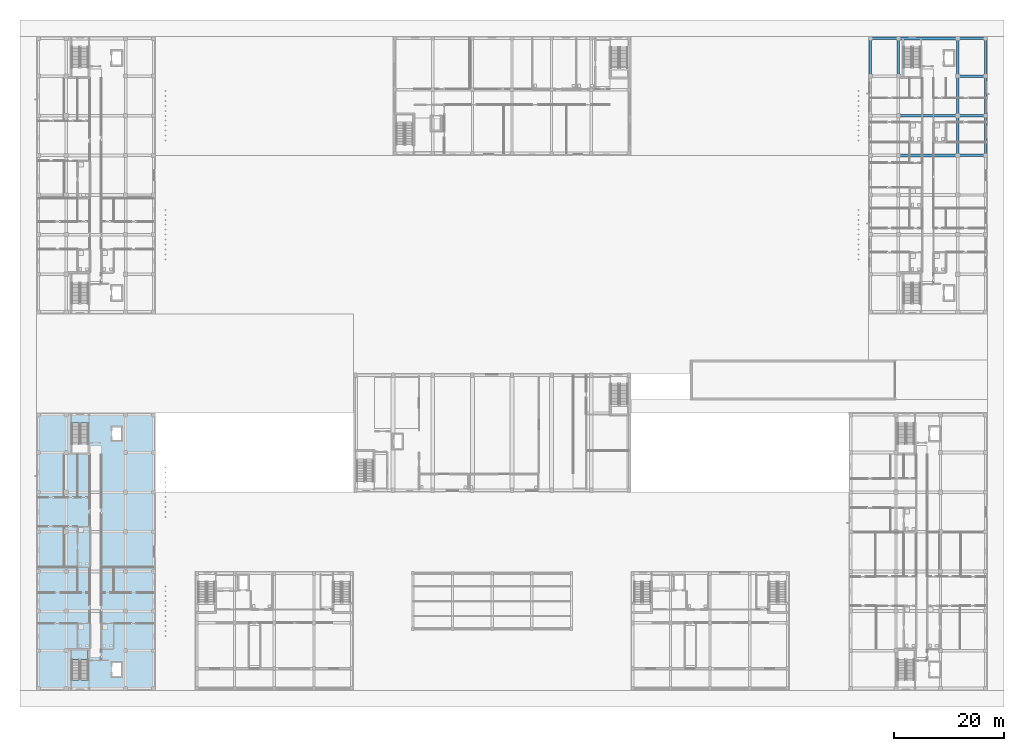
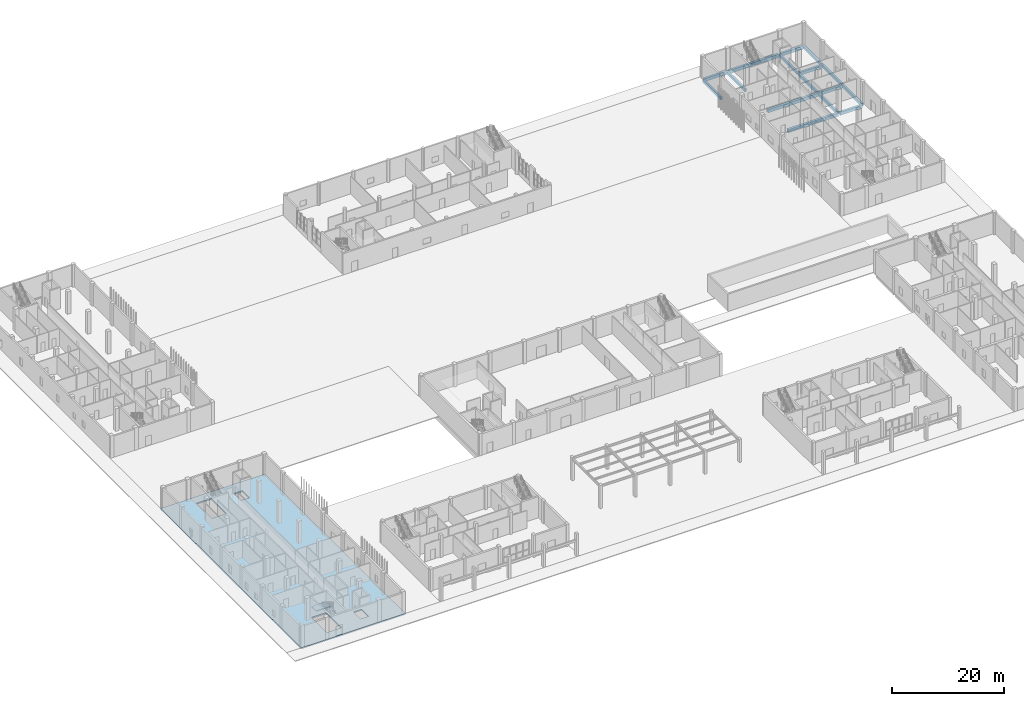
# One storey, part 29 of 85: 16 beams, 2 slabs, 1 element without a shape of its own.
"""IFC4 building model written with IfcOpenShell, lengths in metres."""

from ifc_helpers import new_model, si_unit, derived_unit, direction, frame, origin, origin_2d, place, context, subcontext, project, spatial, polyline, rectangle, outline, extrude, material, layer, layer_set, material_profile, profile_set, type_object, element, aggregate, save


model = new_model("IFC4")

# Units and contexts
model_context = context("Model", 3, precision=1e-05, world=origin(), true_north=direction((0.0, 1.0)))
body_context = subcontext(model_context, "Body", "Model", "MODEL_VIEW")
ifc_project = project(units=[si_unit("LENGTHUNIT", "METRE"), si_unit("AREAUNIT", "SQUARE_METRE"), si_unit("VOLUMEUNIT", "CUBIC_METRE"), si_unit("PLANEANGLEUNIT", "RADIAN"), si_unit("MASSUNIT", "GRAM", prefix="KILO"), derived_unit("THERMALTRANSMITTANCEUNIT", [(si_unit("MASSUNIT", "GRAM", prefix="KILO"), 1), (si_unit("TIMEUNIT", "SECOND"), -3), (si_unit("THERMODYNAMICTEMPERATUREUNIT", "KELVIN"), -1)])], contexts=[model_context])

# Site, building, storey
site_placement = place(None, origin())
site = spatial("IfcSite", under=ifc_project, at=site_placement, CompositionType="ELEMENT")
building_placement = place(site_placement, origin())
building = spatial("IfcBuilding", under=site, at=building_placement, Name="Ochrekiln Boulevard Commons", CompositionType="ELEMENT")
storey_placement = place(building_placement, origin())
storey = spatial("IfcBuildingStorey", under=building, at=storey_placement, Name="L00", CompositionType="ELEMENT", Elevation=0.0)

# Beams
ifc_material_1 = material(Name="Concrete C35/45", Category="concrete")
ifc_material_profile_1 = material_profile(ifc_material_1, rectangle(XDim=0.39990234375, YDim=0.60009765625, at=origin_2d()), Name="RC-BM-400x600")
ifc_profile_set_1 = profile_set([ifc_material_profile_1], Name="Concrete C35/45")
beam_type_1 = type_object("IfcBeamType", Name="BM-RC-400x600", PredefinedType="BEAM", material=ifc_profile_set_1)
for number, where, z_axis, x_axis, name in (
    (1, (151.550048828125, 111.81005859375, -0.580078125), (0.0, 1.0, 0.0), (-1.0, 0.0, 0.0), "Block B L00 Beam B-4060 Y29"),
    (2, (156.60009765625, 111.81005859375, -0.580078125), (0.0, 1.0, 0.0), (-1.0, 0.0, 0.0), "Block B L00 Beam B-4060 Y36"),
):
    element("IfcBeam", number, at=place(storey_placement, frame(where, z_axis=z_axis, x_axis=x_axis)), inside=storey, type_object=beam_type_1, Name=name, PredefinedType="BEAM", context=body_context, shape_type="SweptSolid", body=[
        extrude(rectangle(XDim=0.39990234375, YDim=0.60009765625, at=origin_2d()), origin(), (0.0, 0.0, 1.0), 6.429931640625),
    ])
beam_1_placement = place(storey_placement, frame((167.39990234375, 97.409912109375, -0.580078125), z_axis=(0.0, 1.0, 0.0), x_axis=(-1.0, 0.0, 0.0)))
element("IfcBeam", 3, at=beam_1_placement, inside=storey, type_object=beam_type_1, Name="Block B L00 Beam B-4060 Y41", PredefinedType="BEAM", context=body_context, shape_type="SweptSolid", body=[
    extrude(rectangle(XDim=0.39990234375, YDim=0.60009765625, at=origin_2d()), origin(), (0.0, 0.0, 1.0), 6.780029296875),
])
beam_2_placement = place(storey_placement, frame((167.39990234375, 104.610107421875, -0.580078125), z_axis=(0.0, 1.0, 0.0), x_axis=(-1.0, 0.0, 0.0)))
element("IfcBeam", 4, at=beam_2_placement, inside=storey, type_object=beam_type_1, Name="Block B L00 Beam B-4060 Y42", PredefinedType="BEAM", context=body_context, shape_type="SweptSolid", body=[
    extrude(rectangle(XDim=0.39990234375, YDim=0.60009765625, at=origin_2d()), origin(), (0.0, 0.0, 1.0), 6.77978515625),
])
beam_3_placement = place(storey_placement, frame((167.39990234375, 111.81005859375, -0.580078125), z_axis=(0.0, 1.0, 0.0), x_axis=(-1.0, 0.0, 0.0)))
element("IfcBeam", 5, at=beam_3_placement, inside=storey, type_object=beam_type_1, Name="Block B L00 Beam B-4060 Y43", PredefinedType="BEAM", context=body_context, shape_type="SweptSolid", body=[
    extrude(rectangle(XDim=0.39990234375, YDim=0.60009765625, at=origin_2d()), origin(), (0.0, 0.0, 1.0), 6.429931640625),
])
beam_4_placement = place(storey_placement, frame((172.449951171875, 97.409912109375, -0.580078125), z_axis=(0.0, 1.0, 0.0), x_axis=(-1.0, 0.0, 0.0)))
element("IfcBeam", 6, at=beam_4_placement, inside=storey, type_object=beam_type_1, Name="Block B L00 Beam B-4060 Y48", PredefinedType="BEAM", context=body_context, shape_type="SweptSolid", body=[
    extrude(rectangle(XDim=0.39990234375, YDim=0.60009765625, at=origin_2d()), origin(), (0.0, 0.0, 1.0), 6.780029296875),
])
beam_5_placement = place(storey_placement, frame((172.449951171875, 104.610107421875, -0.580078125), z_axis=(0.0, 1.0, 0.0), x_axis=(-1.0, 0.0, 0.0)))
element("IfcBeam", 7, at=beam_5_placement, inside=storey, type_object=beam_type_1, Name="Block B L00 Beam B-4060 Y49", PredefinedType="BEAM", context=body_context, shape_type="SweptSolid", body=[
    extrude(rectangle(XDim=0.39990234375, YDim=0.60009765625, at=origin_2d()), origin(), (0.0, 0.0, 1.0), 6.77978515625),
])
beam_6_placement = place(storey_placement, frame((172.449951171875, 111.81005859375, -0.580078125), z_axis=(0.0, 1.0, 0.0), x_axis=(-1.0, 0.0, 0.0)))
element("IfcBeam", 8, at=beam_6_placement, inside=storey, type_object=beam_type_1, Name="Block B L00 Beam B-4060 Y50", PredefinedType="BEAM", context=body_context, shape_type="SweptSolid", body=[
    extrude(rectangle(XDim=0.39990234375, YDim=0.60009765625, at=origin_2d()), origin(), (0.0, 0.0, 1.0), 6.429931640625),
])
ifc_material_profile_2 = material_profile(ifc_material_1, rectangle(XDim=0.449951171875, YDim=0.64990234375, at=origin_2d()), Name="RC-BM-450x650")
ifc_profile_set_2 = profile_set([ifc_material_profile_2], Name="Concrete C35/45")
beam_type_2 = type_object("IfcBeamType", Name="BM-RC-450x650", PredefinedType="BEAM", material=ifc_profile_set_2)
for number, where, z_axis, x_axis, name in (
    (9, (167.610107421875, 97.199951171875, -0.60498046875), (1.0, 0.0, 0.0), (0.0, 1.0, 0.0), "Block B L00 Beam B-4565 X14"),
    (10, (167.610107421875, 104.39990234375, -0.60498046875), (1.0, 0.0, 0.0), (0.0, 1.0, 0.0), "Block B L00 Beam B-4565 X17"),
    (11, (167.610107421875, 111.60009765625, -0.60498046875), (1.0, 0.0, 0.0), (0.0, 1.0, 0.0), "Block B L00 Beam B-4565 X19"),
    (12, (151.760009765625, 118.449951171875, -0.60498046875), (1.0, 0.0, 0.0), (0.0, 1.0, 0.0), "Block B L00 Beam B-4565 X20"),
    (13, (167.610107421875, 118.449951171875, -0.60498046875), (1.0, 0.0, 0.0), (0.0, 1.0, 0.0), "Block B L00 Beam B-4565 X22"),
):
    element("IfcBeam", number, at=place(storey_placement, frame(where, z_axis=z_axis, x_axis=x_axis)), inside=storey, type_object=beam_type_2, Name=name, PredefinedType="BEAM", context=body_context, shape_type="SweptSolid", body=[
        extrude(rectangle(XDim=0.449951171875, YDim=0.64990234375, at=origin_2d()), origin(), (0.0, 0.0, 1.0), 4.6298828125),
    ])
ifc_material_2 = material(Name="Concrete C40/50", Category="concrete")
ifc_material_profile_3 = material_profile(ifc_material_2, rectangle(XDim=0.5, YDim=0.699951171875, at=origin_2d()), Name="RC-BM-500x700")
ifc_profile_set_3 = profile_set([ifc_material_profile_3], Name="Concrete C40/50")
beam_type_3 = type_object("IfcBeamType", Name="BM-RC-500x700", PredefinedType="BEAM", material=ifc_profile_set_3)
for number, where, z_axis, x_axis, name in (
    (14, (156.81005859375, 97.199951171875, -0.6298828125), (1.0, 0.0, 0.0), (0.0, 1.0, 0.0), "Block B L00 Beam B-5070 X13"),
    (15, (156.81005859375, 104.39990234375, -0.6298828125), (1.0, 0.0, 0.0), (0.0, 1.0, 0.0), "Block B L00 Beam B-5070 X16"),
    (16, (156.81005859375, 118.449951171875, -0.6298828125), (1.0, 0.0, 0.0), (0.0, 1.0, 0.0), "Block B L00 Beam B-5070 X21"),
):
    element("IfcBeam", number, at=place(storey_placement, frame(where, z_axis=z_axis, x_axis=x_axis)), inside=storey, type_object=beam_type_3, Name=name, PredefinedType="BEAM", context=body_context, shape_type="SweptSolid", body=[
        extrude(rectangle(XDim=0.5, YDim=0.699951171875, at=origin_2d()), origin(), (0.0, 0.0, 1.0), 10.3798828125),
    ])

# Slab
ifc_layer_1 = layer(ifc_material_1, 0.280029296875)
ifc_layer_set_1 = layer_set([ifc_layer_1], Name="Concrete C35/45")
slab_type_1 = type_object("IfcSlabType", Name="SLB-GND-280", PredefinedType="FLOOR", material=ifc_layer_set_1)
slab_1_placement = place(storey_placement, frame((0.0, 0.0, -0.280029296875)))
element("IfcSlab", 17, at=slab_1_placement, inside=storey, type_object=slab_type_1, Name="Block D L00 Reinforced Concrete Floor Slab", PredefinedType="FLOOR", context=body_context, shape_type="SweptSolid", body=[
    extrude(outline(polyline([(0.0, 0.0), (21.60009765625, 0.0), (21.60009765625, 50.39990234375), (0.0, 50.39990234375), (0.0, 0.0)]), holes=[polyline([(9.39990234375, 1.87060546875), (9.39990234375, 7.320068359375), (6.39990234375, 7.320068359375), (6.39990234375, 1.87060546875), (9.39990234375, 1.87060546875)]), polyline([(6.39990234375, 48.529541015625), (6.39990234375, 43.080078125), (9.39990234375, 43.080078125), (9.39990234375, 48.529541015625), (6.39990234375, 48.529541015625)]), polyline([(13.75, 2.550048828125), (15.449951171875, 2.550048828125), (15.449951171875, 5.050048828125), (13.75, 5.050048828125), (13.75, 2.550048828125)]), polyline([(13.75, 45.35009765625), (15.449951171875, 45.35009765625), (15.449951171875, 47.85009765625), (13.75, 47.85009765625), (13.75, 45.35009765625)])]), origin(), (0.0, 0.0, 1.0), 0.280029296875),
])

# Stair, slab
stair_type = type_object("IfcStairType", Name="STR-DL-490", PredefinedType="TWO_STRAIGHT_RUN_STAIR", material=ifc_material_1)
stair_placement = place(storey_placement, origin())
stair = element("IfcStair", 18, at=stair_placement, inside=storey, type_object=stair_type, Name="L00 Enclosed Exit Stair ST-D1", PredefinedType="TWO_STRAIGHT_RUN_STAIR")
ifc_layer_2 = layer(ifc_material_1, 0.199951171875)
ifc_layer_set_2 = layer_set([ifc_layer_2], Name="Concrete C35/45")
slab_type_2 = type_object("IfcSlabType", Name="SLB-LND-200", PredefinedType="LANDING", material=ifc_layer_set_2)
slab_2_placement = place(storey_placement, frame((0.0, 0.0, 2.25)))
slab_2 = element("IfcSlab", 19, at=slab_2_placement, type_object=slab_type_2, Name="ST-D1 landing 1", PredefinedType="LANDING", context=body_context, shape_type="SweptSolid", body=[
    extrude(outline(polyline([(9.39990234375, 5.639892578125), (9.39990234375, 7.320068359375), (6.39990234375, 7.320068359375), (6.39990234375, 5.639892578125), (9.39990234375, 5.639892578125)])), origin(), (0.0, 0.0, 1.0), 0.199951171875),
])
aggregate(stair, [slab_2])

save(model, "model.ifc")
